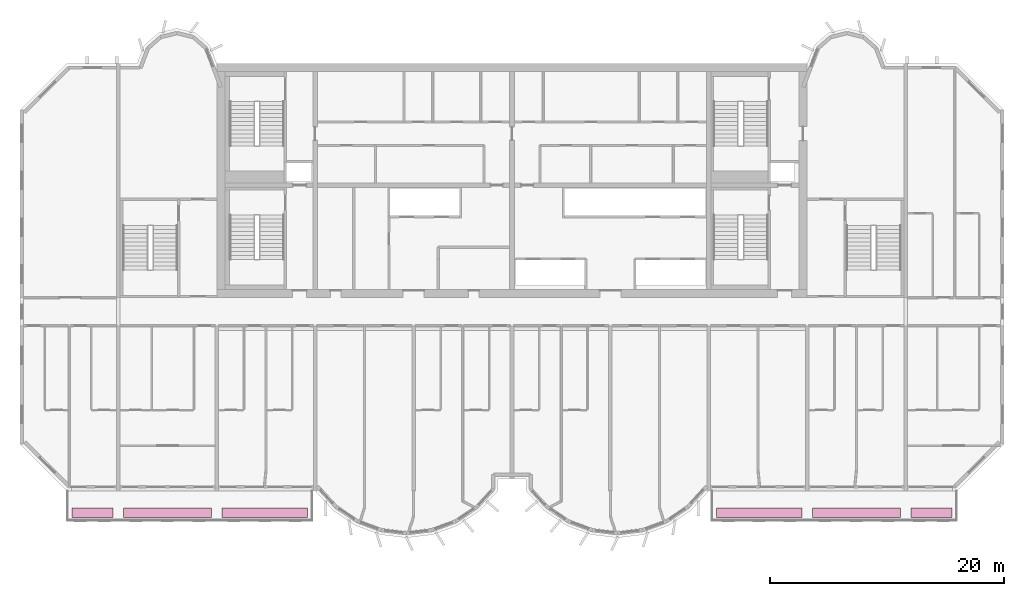
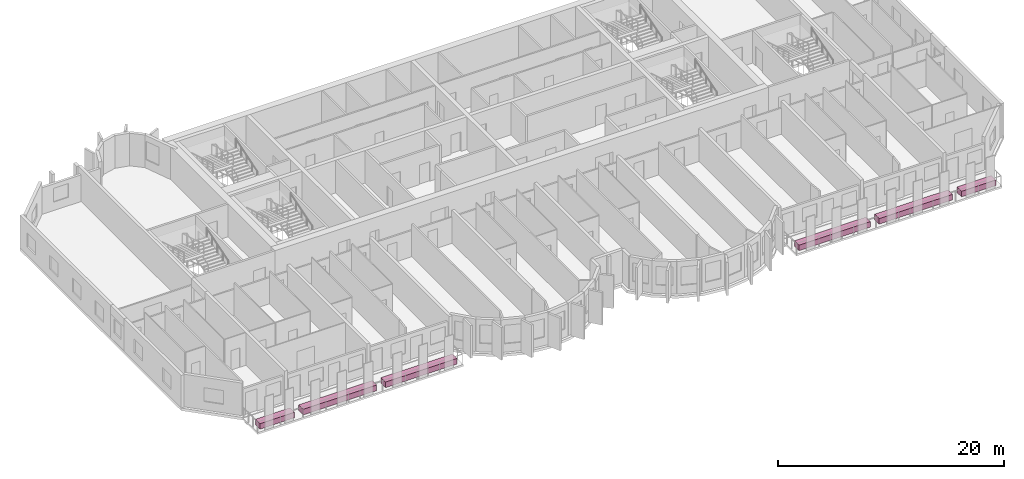
# One storey, part 13 of 13: 6 furniture elements.
"""IFC4 building model written with IfcOpenShell, lengths in metres."""

from ifc_helpers import new_model, si_unit, direction, frame, origin, origin_2d, place, context, subcontext, project, spatial, rectangle, extrude, source, transform, mapped, material, type_object, element, save


model = new_model("IFC4")

# Units and contexts
model_context = context("Model", 3, precision=1e-05, world=origin(), true_north=direction((0.0, 1.0)))
body_context = subcontext(model_context, "Body", "Model", "MODEL_VIEW")
ifc_project = project(units=[si_unit("LENGTHUNIT", "METRE"), si_unit("AREAUNIT", "SQUARE_METRE"), si_unit("VOLUMEUNIT", "CUBIC_METRE"), si_unit("PLANEANGLEUNIT", "RADIAN"), si_unit("MASSUNIT", "GRAM", prefix="KILO")], contexts=[model_context])

# Site, building, storey
site_placement = place(None, origin())
site = spatial("IfcSite", under=ifc_project, at=site_placement, CompositionType="ELEMENT")
building_placement = place(site_placement, origin())
building = spatial("IfcBuilding", under=site, at=building_placement, Name="Vanashikhar Sky Hotel", CompositionType="ELEMENT")
storey_placement = place(building_placement, frame((0.0, 0.0, 166.800048828125)))
storey = spatial("IfcBuildingStorey", under=building, at=storey_placement, Name="L40", CompositionType="ELEMENT", Elevation=166.800048828125)

# Furniture
ifc_material = material(Name="Planting soil and shrubs")
furniture_type = type_object("IfcFurnitureType", Name="Planter trough", AssemblyPlace="NOTDEFINED", PredefinedType="USERDEFINED", material=ifc_material)
shared_shape_1 = source(origin(), body_context, "Body", "SweptSolid", [
    extrude(rectangle(XDim=3.5, YDim=0.800048828125, at=origin_2d()), origin(), (0.0, 0.0, 1.0), 0.60009765625),
])
for number, where, z_axis, x_axis, name in (
    (1, (14.60009765625, 3.64990234375, -0.050048828125), (0.0, 0.0, 1.0), (1.0, 0.0, 0.0), "PLANTER with climbers"),
    (2, (86.199951171875, 3.64990234375, -0.050048828125), (0.0, 0.0, 1.0), (1.0, 0.0, 0.0), "PLANTER with climbers"),
):
    element("IfcFurniture", number, at=place(storey_placement, frame(where, z_axis=z_axis, x_axis=x_axis)), inside=storey, type_object=furniture_type, Name=name, ObjectType="PLANTER", PredefinedType="USERDEFINED", context=body_context, shape_type="MappedRepresentation", body=[
        mapped(shared_shape_1, transform((0.0, 0.0, 0.0), scale=1.0)),
    ])
shared_shape_2 = source(origin(), body_context, "Body", "SweptSolid", [
    extrude(rectangle(XDim=7.5, YDim=0.800048828125, at=origin_2d()), origin(), (0.0, 0.0, 1.0), 0.60009765625),
])
for number, where, z_axis, x_axis, name in (
    (3, (21.0, 3.64990234375, -0.050048828125), (0.0, 0.0, 1.0), (1.0, 0.0, 0.0), "PLANTER with climbers"),
    (4, (79.800048828125, 3.64990234375, -0.050048828125), (0.0, 0.0, 1.0), (1.0, 0.0, 0.0), "PLANTER with climbers"),
):
    element("IfcFurniture", number, at=place(storey_placement, frame(where, z_axis=z_axis, x_axis=x_axis)), inside=storey, type_object=furniture_type, Name=name, ObjectType="PLANTER", PredefinedType="USERDEFINED", context=body_context, shape_type="MappedRepresentation", body=[
        mapped(shared_shape_2, transform((0.0, 0.0, 0.0), scale=1.0)),
    ])
shared_shape_3 = source(origin(), body_context, "Body", "SweptSolid", [
    extrude(rectangle(XDim=7.300048828125, YDim=0.800048828125, at=origin_2d()), origin(), (0.0, 0.0, 1.0), 0.60009765625),
])
for number, where, z_axis, x_axis, name in (
    (5, (29.300048828125, 3.64990234375, -0.050048828125), (0.0, 0.0, 1.0), (1.0, 0.0, 0.0), "PLANTER with climbers"),
    (6, (71.5, 3.64990234375, -0.050048828125), (0.0, 0.0, 1.0), (1.0, 0.0, 0.0), "PLANTER with climbers"),
):
    element("IfcFurniture", number, at=place(storey_placement, frame(where, z_axis=z_axis, x_axis=x_axis)), inside=storey, type_object=furniture_type, Name=name, ObjectType="PLANTER", PredefinedType="USERDEFINED", context=body_context, shape_type="MappedRepresentation", body=[
        mapped(shared_shape_3, transform((0.0, 0.0, 0.0), scale=1.0)),
    ])

save(model, "model.ifc")
